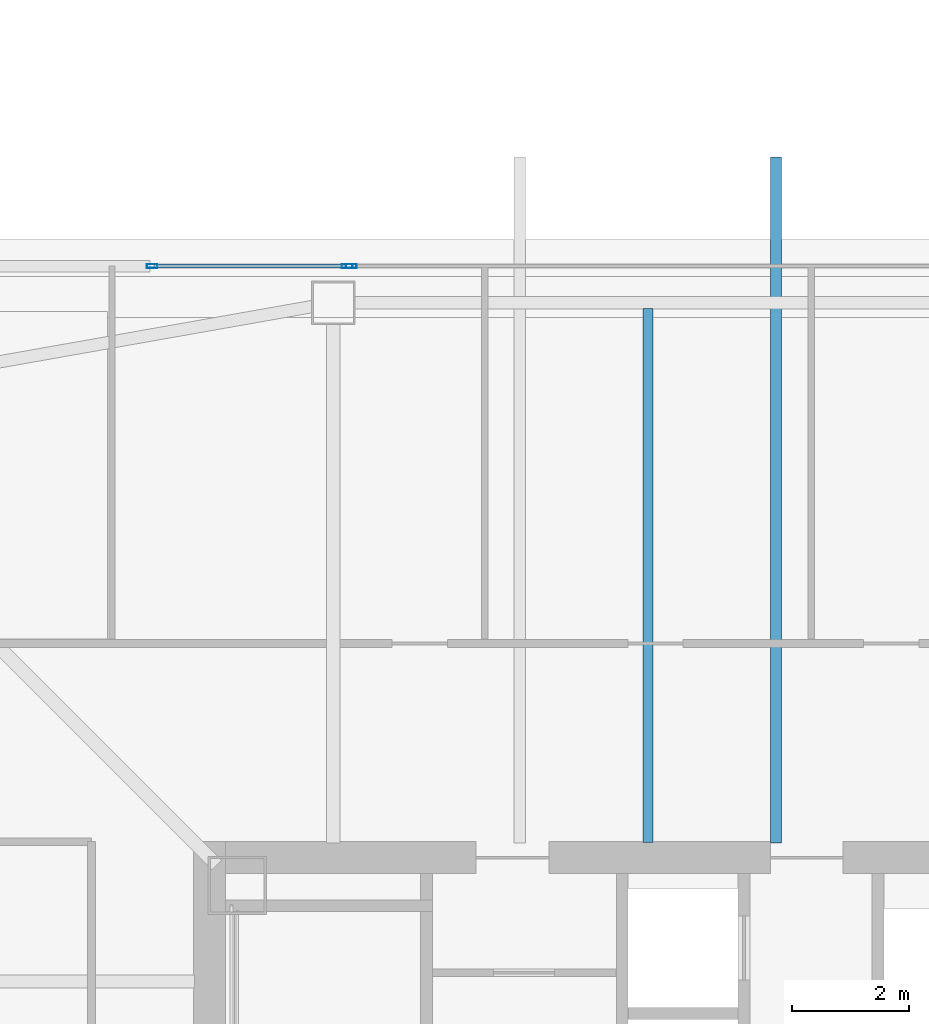
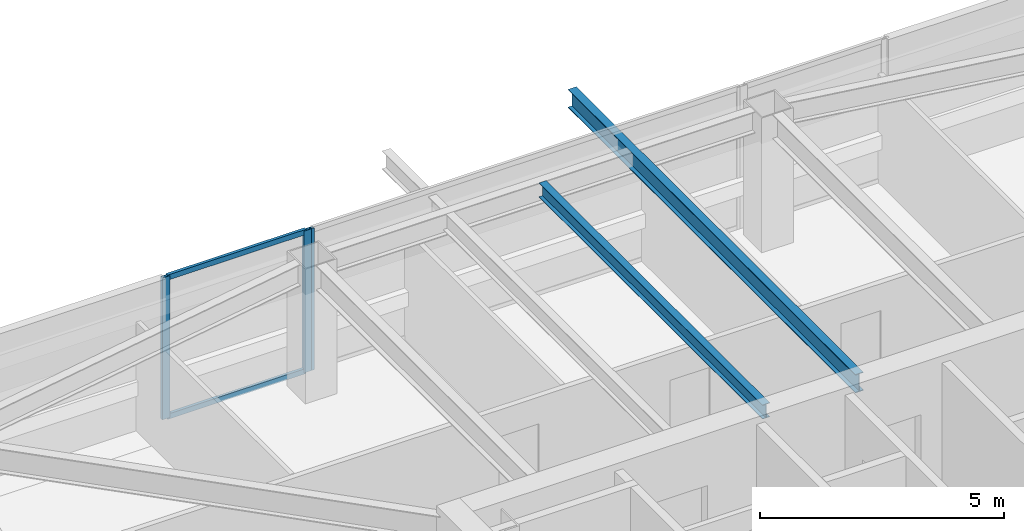
# One storey, part 13 of 42: 5 members, 2 beams, 2 elements without a shape of their own.
"""IFC4 building model written with IfcOpenShell, lengths in metres."""

from ifc_helpers import new_model, si_unit, direction, frame, origin, origin_2d, place, context, subcontext, project, spatial, hollow_rectangle, i_section, extrude, material, material_profile, profile_set, type_object, element, aggregate, save


model = new_model("IFC4")

# Units and contexts
model_context = context("Model", 3, precision=1e-05, world=origin(), true_north=direction((0.0, 1.0)))
body_context = subcontext(model_context, "Body", "Model", "MODEL_VIEW")
ifc_project = project(units=[si_unit("LENGTHUNIT", "METRE"), si_unit("AREAUNIT", "SQUARE_METRE"), si_unit("VOLUMEUNIT", "CUBIC_METRE"), si_unit("PLANEANGLEUNIT", "RADIAN"), si_unit("MASSUNIT", "GRAM", prefix="KILO")], contexts=[model_context])

# Site, building, storey
site_placement = place(None, origin())
site = spatial("IfcSite", under=ifc_project, at=site_placement, CompositionType="ELEMENT")
building_placement = place(site_placement, origin())
building = spatial("IfcBuilding", under=site, at=building_placement, Name="Tashvorn Skyway Center", CompositionType="ELEMENT")
storey_placement = place(building_placement, frame((0.0, 0.0, 164.10009765625)))
storey = spatial("IfcBuildingStorey", under=building, at=storey_placement, Name="L44", CompositionType="ELEMENT", Elevation=164.10009765625)

# Beams
ifc_material_1 = material(Name="Steel ASTM A992 Grade 50", Category="steel")
ifc_material_profile_1 = material_profile(ifc_material_1, i_section(OverallWidth=0.1708984375, OverallDepth=0.35498046875, WebThickness=0.007080078125, FlangeThickness=0.01171875, at=origin_2d()), Name="W14X34")
ifc_profile_set_1 = profile_set([ifc_material_profile_1], Name="Steel ASTM A992 Grade 50")
beam_type_1 = type_object("IfcBeamType", Name="BM-JOIST-W14X34", PredefinedType="JOIST", material=ifc_profile_set_1)
beam_1_placement = place(storey_placement, frame((42.0, 39.7900390625, 3.1923828125), z_axis=(0.0, 1.0, 0.0), x_axis=(-1.0, 0.0, 0.0)))
element("IfcBeam", 1, at=beam_1_placement, inside=storey, type_object=beam_type_1, Name="Tower 1 L44 Secondary Composite Joist JN", PredefinedType="JOIST", context=body_context, shape_type="SweptSolid", body=[
    extrude(i_section(OverallWidth=0.1708984375, OverallDepth=0.35498046875, WebThickness=0.007080078125, FlangeThickness=0.01171875, at=origin_2d()), origin(), (0.0, 0.0, 1.0), 9.162353515625),
])
ifc_material_profile_2 = material_profile(ifc_material_1, i_section(OverallWidth=0.19091796875, OverallDepth=0.4599609375, WebThickness=0.010009765625, FlangeThickness=0.01611328125, at=origin_2d()), Name="W18X55")
ifc_profile_set_2 = profile_set([ifc_material_profile_2], Name="Steel ASTM A992 Grade 50")
beam_type_2 = type_object("IfcBeamType", Name="BM-JOIST-W18X55", PredefinedType="JOIST", material=ifc_profile_set_2)
beam_2_placement = place(storey_placement, frame((44.199951171875, 39.780029296875, 3.139892578125), z_axis=(0.0, 1.0, 0.0), x_axis=(-1.0, 0.0, 0.0)))
element("IfcBeam", 2, at=beam_2_placement, inside=storey, type_object=beam_type_2, Name="Tower 1 L45 Terrace Cantilever Outlooker 2", PredefinedType="JOIST", context=body_context, shape_type="SweptSolid", body=[
    extrude(i_section(OverallWidth=0.19091796875, OverallDepth=0.4599609375, WebThickness=0.010009765625, FlangeThickness=0.01611328125, at=origin_2d()), origin(), (0.0, 0.0, 1.0), 11.77001953125),
])

# Curtain wall, members
ifc_material_2 = material(Name="Thermally broken bronze-anodized aluminium 6063-T6", Category="aluminium")
curtain_wall_type = type_object("IfcCurtainWallType", Name="CW-CW-Z4", PredefinedType="NOTDEFINED", material=ifc_material_2)
curtain_wall_1_placement = place(storey_placement, origin())
curtain_wall_1 = element("IfcCurtainWall", 3, at=curtain_wall_1_placement, inside=storey, type_object=curtain_wall_type, Name="Tower 1 L44 North Unitised Curtain Wall Glazing Group 1", PredefinedType="NOTDEFINED")
ifc_material_profile_3 = material_profile(ifc_material_2, hollow_rectangle(XDim=0.070068359375, YDim=0.179931640625, WallThickness=0.00390625, at=origin_2d()), Name="ALU-MULL-70x180")
ifc_profile_set_3 = profile_set([ifc_material_profile_3], Name="Thermally broken bronze-anodized aluminium 6063-T6")
member_type_1 = type_object("IfcMemberType", Name="CWM-CW-Z4", PredefinedType="MULLION", material=ifc_profile_set_3)
member_1_placement = place(storey_placement, frame((33.490478515625, 49.679931640625, 0.0), z_axis=(0.0, 0.0, 1.0), x_axis=(0.0, 1.0, 0.0)))
member_1 = element("IfcMember", 4, at=member_1_placement, type_object=member_type_1, Name="CW-Z4 mullion 1", PredefinedType="MULLION", context=body_context, shape_type="SweptSolid", body=[
    extrude(hollow_rectangle(XDim=0.070068359375, YDim=0.179931640625, WallThickness=0.00390625, at=origin_2d()), origin(), (0.0, 0.0, 1.0), 3.5498046875),
])
member_2_placement = place(storey_placement, frame((36.83837890625, 49.679931640625, 0.0), z_axis=(0.0, 0.0, 1.0), x_axis=(0.0, 1.0, 0.0)))
member_2 = element("IfcMember", 5, at=member_2_placement, type_object=member_type_1, Name="CW-Z4 mullion 2", PredefinedType="MULLION", context=body_context, shape_type="SweptSolid", body=[
    extrude(hollow_rectangle(XDim=0.070068359375, YDim=0.179931640625, WallThickness=0.00390625, at=origin_2d()), origin(), (0.0, 0.0, 1.0), 3.5498046875),
])

# Curtain wall, member
curtain_wall_2_placement = place(storey_placement, origin())
curtain_wall_2 = element("IfcCurtainWall", 6, at=curtain_wall_2_placement, inside=storey, type_object=curtain_wall_type, Name="Tower 1 L44 North Unitised Curtain Wall Glazing Group 2", PredefinedType="NOTDEFINED")
member_3_placement = place(storey_placement, frame((36.908203125, 49.679931640625, 0.0), z_axis=(0.0, 0.0, 1.0), x_axis=(0.0, 1.0, 0.0)))
member_3 = element("IfcMember", 7, at=member_3_placement, type_object=member_type_1, Name="CW-Z4 mullion 1", PredefinedType="MULLION", context=body_context, shape_type="SweptSolid", body=[
    extrude(hollow_rectangle(XDim=0.070068359375, YDim=0.179931640625, WallThickness=0.00390625, at=origin_2d()), origin(), (0.0, 0.0, 1.0), 3.5498046875),
])
aggregate(curtain_wall_2, [member_3])

# Member
ifc_material_profile_4 = material_profile(ifc_material_2, hollow_rectangle(XDim=0.070068359375, YDim=0.1298828125, WallThickness=0.00390625, at=origin_2d()), Name="ALU-TRAN-70x130")
ifc_profile_set_4 = profile_set([ifc_material_profile_4], Name="Thermally broken bronze-anodized aluminium 6063-T6")
member_type_2 = type_object("IfcMemberType", Name="CWT-CW-Z4", PredefinedType="USERDEFINED", material=ifc_profile_set_4)
member_4_placement = place(storey_placement, frame((33.525634765625, 49.679931640625, 0.034912109375), z_axis=(1.0, 0.0, 0.0), x_axis=(0.0, 1.0, 0.0)))
member_4 = element("IfcMember", 8, at=member_4_placement, type_object=member_type_2, Name="CW-Z4 transom 1.1", ObjectType="TRANSOM", PredefinedType="USERDEFINED", context=body_context, shape_type="SweptSolid", body=[
    extrude(hollow_rectangle(XDim=0.070068359375, YDim=0.1298828125, WallThickness=0.00390625, at=origin_2d()), origin(), (0.0, 0.0, 1.0), 3.277587890625),
])

member_5_placement = place(storey_placement, frame((33.525634765625, 49.679931640625, 3.514892578125), z_axis=(1.0, 0.0, 0.0), x_axis=(0.0, 1.0, 0.0)))
member_5 = element("IfcMember", 9, at=member_5_placement, type_object=member_type_2, Name="CW-Z4 transom 1.2", ObjectType="TRANSOM", PredefinedType="USERDEFINED", context=body_context, shape_type="SweptSolid", body=[
    extrude(hollow_rectangle(XDim=0.070068359375, YDim=0.1298828125, WallThickness=0.00390625, at=origin_2d()), origin(), (0.0, 0.0, 1.0), 3.277587890625),
])

aggregate(curtain_wall_1, [member_1, member_2, member_4, member_5])

save(model, "model.ifc")
